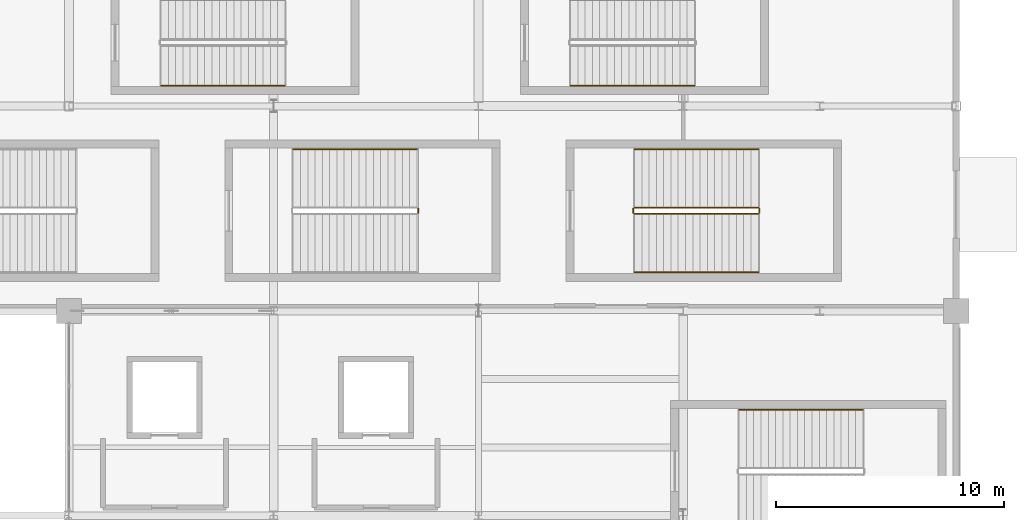
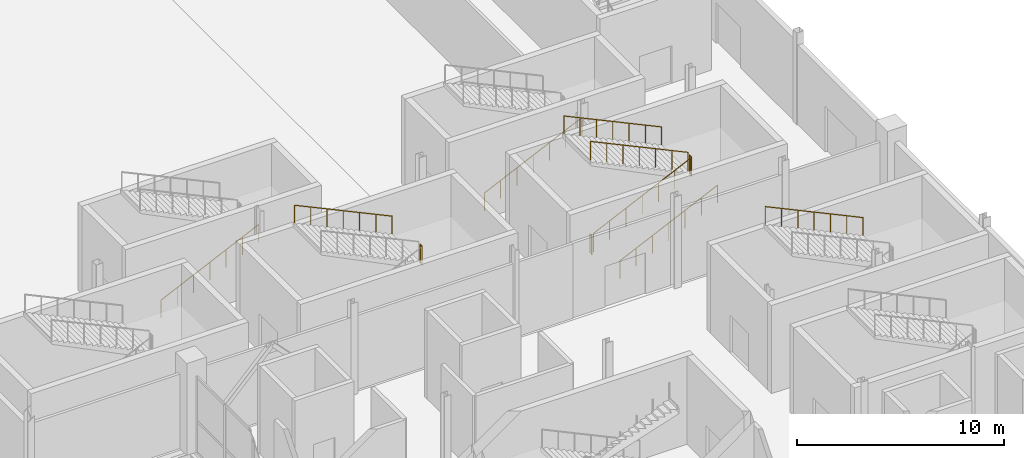
# One storey, part 91 of 94: 11 railings.
"""IFC4 building model written with IfcOpenShell, lengths in metres."""

from ifc_helpers import new_model, si_unit, direction, frame, origin, origin_2d, place, context, subcontext, project, spatial, circle, extrude, material, type_object, element, save


model = new_model("IFC4")

# Units and contexts
model_context = context("Model", 3, precision=1e-05, world=origin(), true_north=direction((0.0, 1.0)))
body_context = subcontext(model_context, "Body", "Model", "MODEL_VIEW")
ifc_project = project(units=[si_unit("LENGTHUNIT", "METRE"), si_unit("AREAUNIT", "SQUARE_METRE"), si_unit("VOLUMEUNIT", "CUBIC_METRE"), si_unit("PLANEANGLEUNIT", "RADIAN"), si_unit("MASSUNIT", "GRAM", prefix="KILO")], contexts=[model_context])

# Site, building, storey
site_placement = place(None, origin())
site = spatial("IfcSite", under=ifc_project, at=site_placement, CompositionType="ELEMENT")
building_placement = place(site_placement, origin())
building = spatial("IfcBuilding", under=site, at=building_placement, Name="Qamarlyn Nura Convention Centre", CompositionType="ELEMENT")
storey_placement = place(building_placement, origin())
storey = spatial("IfcBuildingStorey", under=building, at=storey_placement, Name="L00", CompositionType="ELEMENT", Elevation=0.0)

# Railings
ifc_material = material(Name="Marine Grade 316 stainless steel", Category="steel")
railing_type_1 = type_object("IfcRailingType", Name="GRD-STAIR-112", PredefinedType="BALUSTRADE", material=ifc_material)
railing_1_placement = place(storey_placement, frame((168.35009765625, 85.31005859375, 2.699951171875)))
element("IfcRailing", 1, at=railing_1_placement, inside=storey, type_object=railing_type_1, Name="L00 ST-16 stair guard 2", PredefinedType="BALUSTRADE", context=body_context, shape_type="SweptSolid", body=[
    extrude(circle(Radius=0.02392578125, at=origin_2d()), frame((0.0, 0.0, 1.09619140625), z_axis=(0.0, 1.0, 0.0), x_axis=(-1.0, 0.0, 0.0)), (0.0, 0.0, 1.0), 0.179931640625),
    extrude(circle(Radius=0.02099609375, at=origin_2d()), origin(), (0.0, 0.0, 1.0), 1.070068359375),
    extrude(circle(Radius=0.02099609375, at=origin_2d()), frame((0.0, 0.179931640625, 0.0)), (0.0, 0.0, 1.0), 1.070068359375),
])
railing_2_placement = place(storey_placement, frame((177.860107421875, 85.260009765625, 0.14990234375)))
element("IfcRailing", 2, at=railing_2_placement, inside=storey, type_object=railing_type_1, Name="L00 ST-17 stair guard 1", PredefinedType="BALUSTRADE", context=body_context, shape_type="SweptSolid", body=[
    extrude(circle(Radius=0.02392578125, at=origin_2d()), frame((0.0, 0.0, 1.09619140625), z_axis=(0.90545405566, 0.0, 0.424444287379), x_axis=(0.0, 1.0, 0.0)), (0.0, 0.0, 1.0), 6.008056640625),
    extrude(circle(Radius=0.02099609375, at=origin_2d()), origin(), (0.0, 0.0, 1.0), 1.070068359375),
    extrude(circle(Radius=0.02099609375, at=origin_2d()), frame((0.90673828125, 0.0, 0.425048828125)), (0.0, 0.0, 1.0), 1.070068359375),
    extrude(circle(Radius=0.02099609375, at=origin_2d()), frame((1.813232421875, 0.0, 0.85009765625)), (0.0, 0.0, 1.0), 1.070068359375),
    extrude(circle(Radius=0.02099609375, at=origin_2d()), frame((2.719970703125, 0.0, 1.27490234375)), (0.0, 0.0, 1.0), 1.070068359375),
    extrude(circle(Radius=0.02099609375, at=origin_2d()), frame((3.626708984375, 0.0, 1.699951171875)), (0.0, 0.0, 1.0), 1.070068359375),
    extrude(circle(Radius=0.02099609375, at=origin_2d()), frame((4.533203125, 0.0, 2.125)), (0.0, 0.0, 1.0), 1.070068359375),
    extrude(circle(Radius=0.02099609375, at=origin_2d()), frame((5.43994140625, 0.0, 2.550048828125)), (0.0, 0.0, 1.0), 1.070068359375),
])
railing_3_placement = place(storey_placement, frame((183.35009765625, 85.31005859375, 2.699951171875)))
element("IfcRailing", 3, at=railing_3_placement, inside=storey, type_object=railing_type_1, Name="L00 ST-17 stair guard 2", PredefinedType="BALUSTRADE", context=body_context, shape_type="SweptSolid", body=[
    extrude(circle(Radius=0.02392578125, at=origin_2d()), frame((0.0, 0.0, 1.09619140625), z_axis=(0.0, 1.0, 0.0), x_axis=(-1.0, 0.0, 0.0)), (0.0, 0.0, 1.0), 0.179931640625),
    extrude(circle(Radius=0.02099609375, at=origin_2d()), origin(), (0.0, 0.0, 1.0), 1.070068359375),
    extrude(circle(Radius=0.02099609375, at=origin_2d()), frame((0.0, 0.179931640625, 0.0)), (0.0, 0.0, 1.0), 1.070068359375),
])
railing_4_placement = place(storey_placement, frame((183.300048828125, 85.5400390625, 2.85009765625)))
element("IfcRailing", 4, at=railing_4_placement, inside=storey, type_object=railing_type_1, Name="L00 ST-17 stair guard 3", PredefinedType="BALUSTRADE", context=body_context, shape_type="SweptSolid", body=[
    extrude(circle(Radius=0.02392578125, at=origin_2d()), frame((0.0, 0.0, 1.09619140625), z_axis=(-0.90546967238, 0.0, 0.424410971113), x_axis=(0.0, -1.0, 0.0)), (0.0, 0.0, 1.0), 6.0078125),
    extrude(circle(Radius=0.02099609375, at=origin_2d()), origin(), (0.0, 0.0, 1.0), 1.070068359375),
    extrude(circle(Radius=0.02099609375, at=origin_2d()), frame((-0.90673828125, 0.0, 0.425048828125)), (0.0, 0.0, 1.0), 1.070068359375),
    extrude(circle(Radius=0.02099609375, at=origin_2d()), frame((-1.813232421875, 0.0, 0.849853515625)), (0.0, 0.0, 1.0), 1.070068359375),
    extrude(circle(Radius=0.02099609375, at=origin_2d()), frame((-2.719970703125, 0.0, 1.27490234375)), (0.0, 0.0, 1.0), 1.070068359375),
    extrude(circle(Radius=0.02099609375, at=origin_2d()), frame((-3.626708984375, 0.0, 1.699951171875)), (0.0, 0.0, 1.0), 1.070068359375),
    extrude(circle(Radius=0.02099609375, at=origin_2d()), frame((-4.533203125, 0.0, 2.124755859375)), (0.0, 0.0, 1.0), 1.070068359375),
    extrude(circle(Radius=0.02099609375, at=origin_2d()), frame((-5.43994140625, 0.0, 2.5498046875)), (0.0, 0.0, 1.0), 1.070068359375),
])
railing_5_placement = place(storey_placement, frame((177.81005859375, 85.31005859375, 0.0)))
element("IfcRailing", 5, at=railing_5_placement, inside=storey, type_object=railing_type_1, Name="L00 ST-17 stair guard 4", PredefinedType="BALUSTRADE", context=body_context, shape_type="SweptSolid", body=[
    extrude(circle(Radius=0.02392578125, at=origin_2d()), frame((0.0, 0.0, 1.09619140625), z_axis=(0.0, 1.0, 0.0), x_axis=(-1.0, 0.0, 0.0)), (0.0, 0.0, 1.0), 0.179931640625),
    extrude(circle(Radius=0.02099609375, at=origin_2d()), origin(), (0.0, 0.0, 1.0), 1.070068359375),
    extrude(circle(Radius=0.02099609375, at=origin_2d()), frame((0.0, 0.179931640625, 0.0)), (0.0, 0.0, 1.0), 1.070068359375),
])
railing_type_2 = type_object("IfcRailingType", Name="HRL-STAIR-090", PredefinedType="HANDRAIL", material=ifc_material)
for number, where, name in (
    (6, (187.89990234375, 76.64990234375, 3.002197265625), "L00 ST-14 stair handrail 2"),
    (7, (168.300048828125, 88.10009765625, 3.002197265625), "L00 ST-16 stair handrail 2"),
):
    element("IfcRailing", number, at=place(storey_placement, frame(where)), inside=storey, type_object=railing_type_2, Name=name, PredefinedType="HANDRAIL", context=body_context, shape_type="SweptSolid", body=[
        extrude(circle(Radius=0.02392578125, at=origin_2d()), frame((0.0, 0.0, 0.88818359375), z_axis=(-0.90545405566, 0.0, 0.424444287379), x_axis=(0.0, -1.0, 0.0)), (0.0, 0.0, 1.0), 6.008056640625),
        extrude(circle(Radius=0.02099609375, at=origin_2d()), frame((0.0, 0.0, -0.155029296875)), (0.0, 0.0, 1.0), 1.01708984375),
        extrude(circle(Radius=0.02099609375, at=origin_2d()), frame((-0.90673828125, 0.0, 0.27001953125)), (0.0, 0.0, 1.0), 1.01708984375),
        extrude(circle(Radius=0.02099609375, at=origin_2d()), frame((-1.813232421875, 0.0, 0.695068359375)), (0.0, 0.0, 1.0), 1.01708984375),
        extrude(circle(Radius=0.02099609375, at=origin_2d()), frame((-2.719970703125, 0.0, 1.1201171875)), (0.0, 0.0, 1.0), 1.01708984375),
        extrude(circle(Radius=0.02099609375, at=origin_2d()), frame((-3.626708984375, 0.0, 1.544921875)), (0.0, 0.0, 1.0), 1.01708984375),
        extrude(circle(Radius=0.02099609375, at=origin_2d()), frame((-4.533203125, 0.0, 1.969970703125)), (0.0, 0.0, 1.0), 1.01708984375),
        extrude(circle(Radius=0.02099609375, at=origin_2d()), frame((-5.43994140625, 0.0, 2.39501953125)), (0.0, 0.0, 1.0), 1.01708984375),
    ])
railing_6_placement = place(storey_placement, frame((177.860107421875, 82.699951171875, 0.30224609375)))
element("IfcRailing", 8, at=railing_6_placement, inside=storey, type_object=railing_type_2, Name="L00 ST-17 stair handrail 1", PredefinedType="HANDRAIL", context=body_context, shape_type="SweptSolid", body=[
    extrude(circle(Radius=0.02392578125, at=origin_2d()), frame((0.0, 0.0, 0.88818359375), z_axis=(0.90545405566, 0.0, 0.424444287379), x_axis=(0.0, 1.0, 0.0)), (0.0, 0.0, 1.0), 6.008056640625),
    extrude(circle(Radius=0.02099609375, at=origin_2d()), frame((0.0, 0.0, -0.155029296875)), (0.0, 0.0, 1.0), 1.01708984375),
    extrude(circle(Radius=0.02099609375, at=origin_2d()), frame((0.90673828125, 0.0, 0.27001953125)), (0.0, 0.0, 1.0), 1.01708984375),
    extrude(circle(Radius=0.02099609375, at=origin_2d()), frame((1.813232421875, 0.0, 0.695068359375)), (0.0, 0.0, 1.0), 1.01708984375),
    extrude(circle(Radius=0.02099609375, at=origin_2d()), frame((2.719970703125, 0.0, 1.1201171875)), (0.0, 0.0, 1.0), 1.01708984375),
    extrude(circle(Radius=0.02099609375, at=origin_2d()), frame((3.626708984375, 0.0, 1.544921875)), (0.0, 0.0, 1.0), 1.01708984375),
    extrude(circle(Radius=0.02099609375, at=origin_2d()), frame((4.533203125, 0.0, 1.969970703125)), (0.0, 0.0, 1.0), 1.01708984375),
    extrude(circle(Radius=0.02099609375, at=origin_2d()), frame((5.43994140625, 0.0, 2.39501953125)), (0.0, 0.0, 1.0), 1.01708984375),
])
railing_7_placement = place(storey_placement, frame((183.300048828125, 88.10009765625, 3.002197265625)))
element("IfcRailing", 9, at=railing_7_placement, inside=storey, type_object=railing_type_2, Name="L00 ST-17 stair handrail 2", PredefinedType="HANDRAIL", context=body_context, shape_type="SweptSolid", body=[
    extrude(circle(Radius=0.02392578125, at=origin_2d()), frame((0.0, 0.0, 0.88818359375), z_axis=(-0.90545405566, 0.0, 0.424444287379), x_axis=(0.0, -1.0, 0.0)), (0.0, 0.0, 1.0), 6.008056640625),
    extrude(circle(Radius=0.02099609375, at=origin_2d()), frame((0.0, 0.0, -0.155029296875)), (0.0, 0.0, 1.0), 1.01708984375),
    extrude(circle(Radius=0.02099609375, at=origin_2d()), frame((-0.90673828125, 0.0, 0.27001953125)), (0.0, 0.0, 1.0), 1.01708984375),
    extrude(circle(Radius=0.02099609375, at=origin_2d()), frame((-1.813232421875, 0.0, 0.695068359375)), (0.0, 0.0, 1.0), 1.01708984375),
    extrude(circle(Radius=0.02099609375, at=origin_2d()), frame((-2.719970703125, 0.0, 1.1201171875)), (0.0, 0.0, 1.0), 1.01708984375),
    extrude(circle(Radius=0.02099609375, at=origin_2d()), frame((-3.626708984375, 0.0, 1.544921875)), (0.0, 0.0, 1.0), 1.01708984375),
    extrude(circle(Radius=0.02099609375, at=origin_2d()), frame((-4.533203125, 0.0, 1.969970703125)), (0.0, 0.0, 1.0), 1.01708984375),
    extrude(circle(Radius=0.02099609375, at=origin_2d()), frame((-5.43994140625, 0.0, 2.39501953125)), (0.0, 0.0, 1.0), 1.01708984375),
])
for number, where, name in (
    (10, (157.050048828125, 90.89990234375, 0.30224609375), "L00 ST-VOM3 stair handrail 1"),
    (11, (175.050048828125, 90.89990234375, 0.30224609375), "L00 ST-VOM4 stair handrail 1"),
):
    element("IfcRailing", number, at=place(storey_placement, frame(where)), inside=storey, type_object=railing_type_2, Name=name, PredefinedType="HANDRAIL", context=body_context, shape_type="SweptSolid", body=[
        extrude(circle(Radius=0.02392578125, at=origin_2d()), frame((0.0, 0.0, 0.88818359375), z_axis=(0.90545405566, 0.0, 0.424444287379), x_axis=(0.0, 1.0, 0.0)), (0.0, 0.0, 1.0), 6.008056640625),
        extrude(circle(Radius=0.02099609375, at=origin_2d()), frame((0.0, 0.0, -0.155029296875)), (0.0, 0.0, 1.0), 1.01708984375),
        extrude(circle(Radius=0.02099609375, at=origin_2d()), frame((0.90673828125, 0.0, 0.27001953125)), (0.0, 0.0, 1.0), 1.01708984375),
        extrude(circle(Radius=0.02099609375, at=origin_2d()), frame((1.813232421875, 0.0, 0.695068359375)), (0.0, 0.0, 1.0), 1.01708984375),
        extrude(circle(Radius=0.02099609375, at=origin_2d()), frame((2.719970703125, 0.0, 1.1201171875)), (0.0, 0.0, 1.0), 1.01708984375),
        extrude(circle(Radius=0.02099609375, at=origin_2d()), frame((3.626708984375, 0.0, 1.544921875)), (0.0, 0.0, 1.0), 1.01708984375),
        extrude(circle(Radius=0.02099609375, at=origin_2d()), frame((4.533203125, 0.0, 1.969970703125)), (0.0, 0.0, 1.0), 1.01708984375),
        extrude(circle(Radius=0.02099609375, at=origin_2d()), frame((5.43994140625, 0.0, 2.39501953125)), (0.0, 0.0, 1.0), 1.01708984375),
    ])

save(model, "model.ifc")
